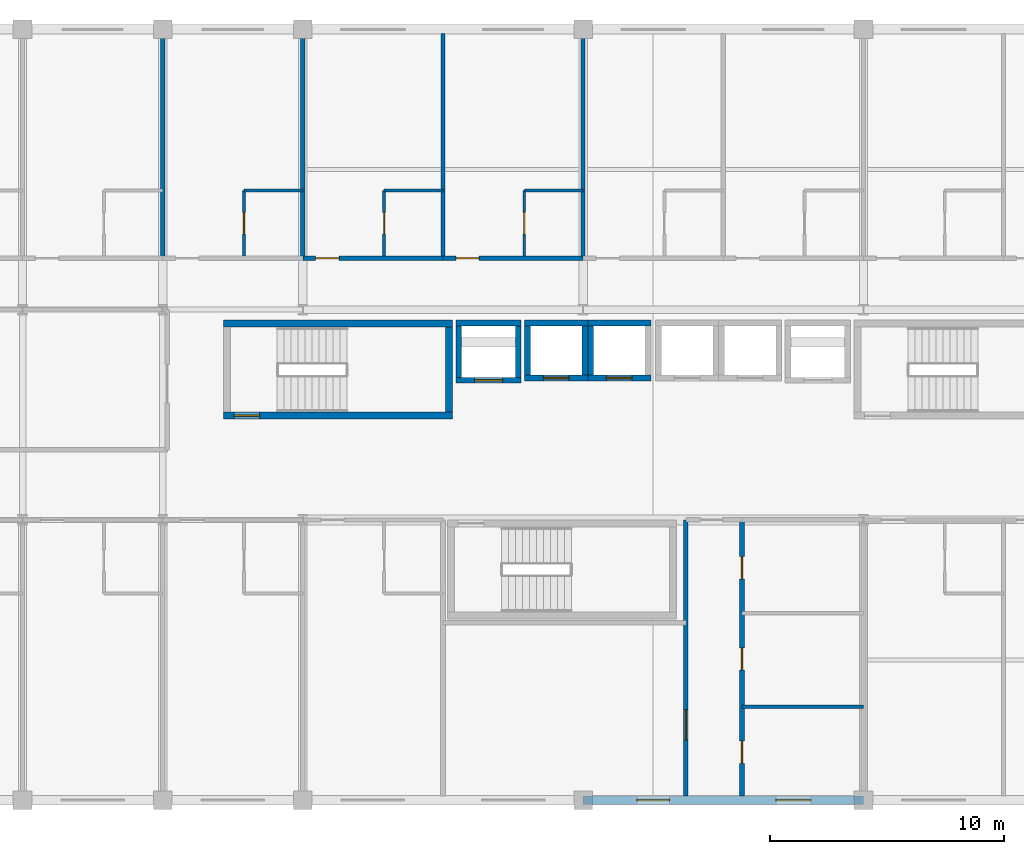
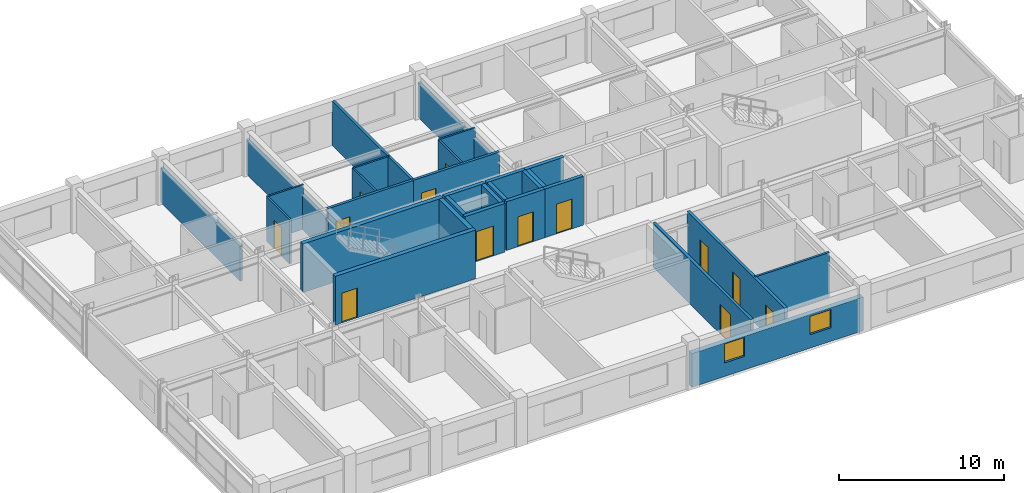
# One storey, part 22 of 26: 30 walls, 13 doors, 2 windows, 15 openings.
"""IFC4 building model written with IfcOpenShell, lengths in metres."""

from ifc_helpers import new_model, si_unit, direction, frame, frame_2d, origin, place, context, subcontext, project, spatial, rectangle, extrude, material, layer, layer_set, type_object, element, fill, save


model = new_model("IFC4")

# Units and contexts
model_context = context("Model", 3, precision=1e-05, world=origin(), true_north=direction((0.0, 1.0)))
body_context = subcontext(model_context, "Body", "Model", "MODEL_VIEW")
ifc_project = project(units=[si_unit("LENGTHUNIT", "METRE"), si_unit("AREAUNIT", "SQUARE_METRE"), si_unit("VOLUMEUNIT", "CUBIC_METRE"), si_unit("PLANEANGLEUNIT", "RADIAN"), si_unit("MASSUNIT", "GRAM", prefix="KILO")], contexts=[model_context])

# Site, building, storey
site_placement = place(None, origin())
site = spatial("IfcSite", under=ifc_project, at=site_placement, CompositionType="ELEMENT")
building_placement = place(site_placement, origin())
building = spatial("IfcBuilding", under=site, at=building_placement, Name="Kaldorvane Square Convention Centre", CompositionType="ELEMENT")
storey_placement = place(building_placement, frame((0.0, 0.0, 45.600006103515625)))
storey = spatial("IfcBuildingStorey", under=building, at=storey_placement, Name="L10", CompositionType="ELEMENT", Elevation=45.600006103515625)

# Wall, opening, door
ifc_material_1 = material(Name="Fire-Rated Gypsum Board on Acoustic Steel Studs", Category="steel")
ifc_layer_1 = layer(ifc_material_1, 0.125)
ifc_layer_set_1 = layer_set([ifc_layer_1], Name="Fire-Rated Gypsum Board on Acoustic Steel Studs")
wall_type_1 = type_object("IfcWallType", Name="WL-BATH-125", PredefinedType="PARTITIONING", material=ifc_layer_set_1)
wall_1_placement = place(storey_placement, frame((39.47999572753906, 107.28999328613281, 0.0), z_axis=(0.0, 0.0, 1.0), x_axis=(0.0, 1.0, 0.0)))
wall_1 = element("IfcWall", 1, at=wall_1_placement, inside=storey, type_object=wall_type_1, Name="En-Suite 1003 West Wall", PredefinedType="PARTITIONING", context=body_context, shape_type="SweptSolid", body=[
    extrude(rectangle(XDim=2.8100128173828125, YDim=0.125, at=frame_2d((1.404998779296875, 0.0))), origin(), (0.0, 0.0, 1.0), 3.2899932861328125),
])
opening_1_placement = place(wall_1_placement, frame((0.9499969482421875, 0.0, 0.0)))
opening_1 = element("IfcOpeningElement", 2, at=opening_1_placement, cuts=wall_1, Name="Opening ID-12", PredefinedType="OPENING", context=body_context, shape_type="SweptSolid", body=[
    extrude(rectangle(XDim=0.9199981689453125, YDim=2.100006103515625, at=frame_2d((0.459991455078125, 1.0500030517578125))), frame((0.0, 0.0774993896484375, 0.0), z_axis=(0.0, -1.0, 0.0), x_axis=(1.0, 0.0, 0.0)), (0.0, 0.0, 1.0), 0.154998779296875),
])
ifc_material_2 = material(Name="Architectural Solid-Core White Oak")
door_type_1 = type_object("IfcDoorType", Name="DR-BATH-0920X2100", OperationType="SINGLE_SWING_RIGHT", PredefinedType="DOOR", material=ifc_material_2)
door_1_placement = place(opening_1_placement, origin())
door_1 = element("IfcDoor", 3, at=door_1_placement, inside=storey, type_object=door_type_1, Name="En-Suite Bathroom 1003 Door", OperationType="SINGLE_SWING_RIGHT", OverallHeight=2.100006103515625, OverallWidth=0.9199981689453125, PredefinedType="DOOR", context=body_context, shape_type="SweptSolid", body=[
    extrude(rectangle(XDim=0.9199981689453125, YDim=2.100006103515625, at=frame_2d((0.459991455078125, 1.0500030517578125))), frame((0.0, 0.024993896484375, 0.0), z_axis=(0.0, -1.0, 0.0), x_axis=(1.0, 0.0, 0.0)), (0.0, 0.0, 1.0), 0.0500030517578125),
])
fill(opening_1, door_1)

# Wall
wall_2_placement = place(storey_placement, frame((39.47999572753906, 110.10000610351562, 0.0), z_axis=(0.0, 0.0, 1.0), x_axis=(1.0, 0.0, 0.0)))
element("IfcWall", 4, at=wall_2_placement, inside=storey, type_object=wall_type_1, Name="En-Suite 1003 North Wall", PredefinedType="PARTITIONING", context=body_context, shape_type="SweptSolid", body=[
    extrude(rectangle(XDim=2.5200042724609375, YDim=0.125, at=frame_2d((1.260009765625, 0.0))), origin(), (0.0, 0.0, 1.0), 3.2899932861328125),
])

# Wall, opening, door
wall_3_placement = place(storey_placement, frame((45.47999572753906, 107.28999328613281, 0.0), z_axis=(0.0, 0.0, 1.0), x_axis=(0.0, 1.0, 0.0)))
wall_3 = element("IfcWall", 5, at=wall_3_placement, inside=storey, type_object=wall_type_1, Name="En-Suite 1004 West Wall", PredefinedType="PARTITIONING", context=body_context, shape_type="SweptSolid", body=[
    extrude(rectangle(XDim=2.8100128173828125, YDim=0.125, at=frame_2d((1.404998779296875, 0.0))), origin(), (0.0, 0.0, 1.0), 3.2899932861328125),
])
opening_2_placement = place(wall_3_placement, frame((0.9499969482421875, 0.0, 0.0)))
opening_2 = element("IfcOpeningElement", 6, at=opening_2_placement, cuts=wall_3, Name="Opening ID-12", PredefinedType="OPENING", context=body_context, shape_type="SweptSolid", body=[
    extrude(rectangle(XDim=0.9199981689453125, YDim=2.100006103515625, at=frame_2d((0.459991455078125, 1.0500030517578125))), frame((0.0, 0.0774993896484375, 0.0), z_axis=(0.0, -1.0, 0.0), x_axis=(1.0, 0.0, 0.0)), (0.0, 0.0, 1.0), 0.154998779296875),
])
door_2_placement = place(opening_2_placement, origin())
door_2 = element("IfcDoor", 7, at=door_2_placement, inside=storey, type_object=door_type_1, Name="En-Suite Bathroom 1004 Door", OperationType="SINGLE_SWING_RIGHT", OverallHeight=2.100006103515625, OverallWidth=0.9199981689453125, PredefinedType="DOOR", context=body_context, shape_type="SweptSolid", body=[
    extrude(rectangle(XDim=0.9199981689453125, YDim=2.100006103515625, at=frame_2d((0.459991455078125, 1.0500030517578125))), frame((0.0, 0.024993896484375, 0.0), z_axis=(0.0, -1.0, 0.0), x_axis=(1.0, 0.0, 0.0)), (0.0, 0.0, 1.0), 0.0500030517578125),
])
fill(opening_2, door_2)

# Wall
wall_4_placement = place(storey_placement, frame((45.47999572753906, 110.10000610351562, 0.0), z_axis=(0.0, 0.0, 1.0), x_axis=(1.0, 0.0, 0.0)))
element("IfcWall", 8, at=wall_4_placement, inside=storey, type_object=wall_type_1, Name="En-Suite 1004 North Wall", PredefinedType="PARTITIONING", context=body_context, shape_type="SweptSolid", body=[
    extrude(rectangle(XDim=2.5200042724609375, YDim=0.125, at=frame_2d((1.260009765625, 0.0))), origin(), (0.0, 0.0, 1.0), 3.2899932861328125),
])

# Wall, opening, door
wall_5_placement = place(storey_placement, frame((51.47999572753906, 107.28999328613281, 0.0), z_axis=(0.0, 0.0, 1.0), x_axis=(0.0, 1.0, 0.0)))
wall_5 = element("IfcWall", 9, at=wall_5_placement, inside=storey, type_object=wall_type_1, Name="En-Suite 1005 West Wall", PredefinedType="PARTITIONING", context=body_context, shape_type="SweptSolid", body=[
    extrude(rectangle(XDim=2.8100128173828125, YDim=0.125, at=frame_2d((1.404998779296875, 0.0))), origin(), (0.0, 0.0, 1.0), 3.2899932861328125),
])
opening_3_placement = place(wall_5_placement, frame((0.9499969482421875, 0.0, 0.0)))
opening_3 = element("IfcOpeningElement", 10, at=opening_3_placement, cuts=wall_5, Name="Opening ID-12", PredefinedType="OPENING", context=body_context, shape_type="SweptSolid", body=[
    extrude(rectangle(XDim=0.9199981689453125, YDim=2.100006103515625, at=frame_2d((0.459991455078125, 1.0500030517578125))), frame((0.0, 0.0774993896484375, 0.0), z_axis=(0.0, -1.0, 0.0), x_axis=(1.0, 0.0, 0.0)), (0.0, 0.0, 1.0), 0.154998779296875),
])
door_3_placement = place(opening_3_placement, origin())
door_3 = element("IfcDoor", 11, at=door_3_placement, inside=storey, type_object=door_type_1, Name="En-Suite Bathroom 1005 Door", OperationType="SINGLE_SWING_RIGHT", OverallHeight=2.100006103515625, OverallWidth=0.9199981689453125, PredefinedType="DOOR", context=body_context, shape_type="SweptSolid", body=[
    extrude(rectangle(XDim=0.9199981689453125, YDim=2.100006103515625, at=frame_2d((0.459991455078125, 1.0500030517578125))), frame((0.0, 0.024993896484375, 0.0), z_axis=(0.0, -1.0, 0.0), x_axis=(1.0, 0.0, 0.0)), (0.0, 0.0, 1.0), 0.0500030517578125),
])
fill(opening_3, door_3)

# Wall
wall_6_placement = place(storey_placement, frame((51.47999572753906, 110.10000610351562, 0.0), z_axis=(0.0, 0.0, 1.0), x_axis=(1.0, 0.0, 0.0)))
element("IfcWall", 12, at=wall_6_placement, inside=storey, type_object=wall_type_1, Name="En-Suite 1005 North Wall", PredefinedType="PARTITIONING", context=body_context, shape_type="SweptSolid", body=[
    extrude(rectangle(XDim=2.5200042724609375, YDim=0.125, at=frame_2d((1.260009765625, 0.0))), origin(), (0.0, 0.0, 1.0), 3.2899932861328125),
])

# Wall, opening, door
ifc_layer_2 = layer(ifc_material_1, 0.1999969482421875)
ifc_layer_set_2 = layer_set([ifc_layer_2], Name="Fire-Rated Gypsum Board on Acoustic Steel Studs")
wall_type_2 = type_object("IfcWallType", Name="WL-CORR-200", PredefinedType="PARTITIONING", material=ifc_layer_set_2)
wall_7_placement = place(storey_placement, frame((58.399993896484375, 84.17500305175781, 0.0), z_axis=(0.0, 0.0, 1.0), x_axis=(0.0, 1.0, 0.0)))
wall_7 = element("IfcWall", 13, at=wall_7_placement, inside=storey, type_object=wall_type_2, Name="Restroom Vestibule West Wall (L10)", PredefinedType="PARTITIONING", context=body_context, shape_type="SweptSolid", body=[
    extrude(rectangle(XDim=11.824996948242188, YDim=0.1999969482421875, at=frame_2d((5.912506103515625, 0.0))), origin(), (0.0, 0.0, 1.0), 3.2899932861328125),
])
opening_4_placement = place(wall_7_placement, frame((2.399993896484375, 0.0, 0.0)))
opening_4 = element("IfcOpeningElement", 14, at=opening_4_placement, cuts=wall_7, Name="Opening ID-09", PredefinedType="OPENING", context=body_context, shape_type="SweptSolid", body=[
    extrude(rectangle(XDim=1.3000030517578125, YDim=2.1999969482421875, at=frame_2d((0.649993896484375, 1.100006103515625))), frame((0.0, 0.114990234375, 0.0), z_axis=(0.0, -1.0, 0.0), x_axis=(1.0, 0.0, 0.0)), (0.0, 0.0, 1.0), 0.2299957275390625),
])
ifc_material_3 = material(Name="Insulated Hollow Metal Steel", Category="steel")
door_type_2 = type_object("IfcDoorType", Name="DR-SVC-1300X2200", OperationType="DOUBLE_DOOR_SINGLE_SWING", PredefinedType="DOOR", material=ifc_material_3)
door_4_placement = place(opening_4_placement, origin())
door_4 = element("IfcDoor", 15, at=door_4_placement, inside=storey, type_object=door_type_2, Name="Housekeeping and Linen Room (L10) Door", OperationType="DOUBLE_DOOR_SINGLE_SWING", OverallHeight=2.1999969482421875, OverallWidth=1.3000030517578125, PredefinedType="DOOR", context=body_context, shape_type="SweptSolid", body=[
    extrude(rectangle(XDim=1.3000030517578125, YDim=2.1999969482421875, at=frame_2d((0.649993896484375, 1.100006103515625))), frame((0.0, 0.024993896484375, 0.0), z_axis=(0.0, -1.0, 0.0), x_axis=(1.0, 0.0, 0.0)), (0.0, 0.0, 1.0), 0.0500030517578125),
])
fill(opening_4, door_4)

# Wall, openings, doors
wall_8_placement = place(storey_placement, frame((60.80000305175781, 84.17500305175781, 0.0), z_axis=(0.0, 0.0, 1.0), x_axis=(0.0, 1.0, 0.0)))
wall_8 = element("IfcWall", 16, at=wall_8_placement, inside=storey, type_object=wall_type_2, Name="Restroom Vestibule East Wall (L10)", PredefinedType="PARTITIONING", context=body_context, shape_type="SweptSolid", body=[
    extrude(rectangle(XDim=11.824996948242188, YDim=0.1999969482421875, at=frame_2d((5.912506103515625, 0.0))), origin(), (0.0, 0.0, 1.0), 3.2899932861328125),
])
opening_5_placement = place(wall_8_placement, frame((1.399993896484375, 0.0, 0.0)))
opening_5 = element("IfcOpeningElement", 17, at=opening_5_placement, cuts=wall_8, Name="Opening ID-13", PredefinedType="OPENING", context=body_context, shape_type="SweptSolid", body=[
    extrude(rectangle(XDim=0.9499969482421875, YDim=2.149993896484375, at=frame_2d((0.475006103515625, 1.0749969482421875))), frame((0.0, 0.114990234375, 0.0), z_axis=(0.0, -1.0, 0.0), x_axis=(1.0, 0.0, 0.0)), (0.0, 0.0, 1.0), 0.2299957275390625),
])
opening_6_placement = place(wall_8_placement, frame((5.399993896484375, 0.0, 0.0)))
opening_6 = element("IfcOpeningElement", 18, at=opening_6_placement, cuts=wall_8, Name="Opening ID-13", PredefinedType="OPENING", context=body_context, shape_type="SweptSolid", body=[
    extrude(rectangle(XDim=0.9499969482421875, YDim=2.149993896484375, at=frame_2d((0.475006103515625, 1.0749969482421875))), frame((0.0, 0.114990234375, 0.0), z_axis=(0.0, -1.0, 0.0), x_axis=(1.0, 0.0, 0.0)), (0.0, 0.0, 1.0), 0.2299957275390625),
])
opening_7_placement = place(wall_8_placement, frame((9.300003051757812, 0.0, 0.0)))
opening_7 = element("IfcOpeningElement", 19, at=opening_7_placement, cuts=wall_8, Name="Opening ID-13", PredefinedType="OPENING", context=body_context, shape_type="SweptSolid", body=[
    extrude(rectangle(XDim=0.9499969482421875, YDim=2.149993896484375, at=frame_2d((0.475006103515625, 1.0749969482421875))), frame((0.0, 0.114990234375, 0.0), z_axis=(0.0, -1.0, 0.0), x_axis=(1.0, 0.0, 0.0)), (0.0, 0.0, 1.0), 0.2299957275390625),
])
door_type_3 = type_object("IfcDoorType", Name="DR-WC-0950X2150", OperationType="SINGLE_SWING_LEFT", PredefinedType="DOOR", material=ifc_material_2)
door_5_placement = place(opening_5_placement, origin())
door_5 = element("IfcDoor", 20, at=door_5_placement, inside=storey, type_object=door_type_3, Name="Accessible Restroom Door (L10)", OperationType="SINGLE_SWING_LEFT", OverallHeight=2.149993896484375, OverallWidth=0.9499969482421875, PredefinedType="DOOR", context=body_context, shape_type="SweptSolid", body=[
    extrude(rectangle(XDim=0.9499969482421875, YDim=2.149993896484375, at=frame_2d((0.475006103515625, 1.0749969482421875))), frame((0.0, 0.024993896484375, 0.0), z_axis=(0.0, -1.0, 0.0), x_axis=(1.0, 0.0, 0.0)), (0.0, 0.0, 1.0), 0.0500030517578125),
])
fill(opening_5, door_5)
door_6_placement = place(opening_6_placement, origin())
door_6 = element("IfcDoor", 21, at=door_6_placement, inside=storey, type_object=door_type_3, Name="Men's Restroom Door (L10)", OperationType="SINGLE_SWING_LEFT", OverallHeight=2.149993896484375, OverallWidth=0.9499969482421875, PredefinedType="DOOR", context=body_context, shape_type="SweptSolid", body=[
    extrude(rectangle(XDim=0.9499969482421875, YDim=2.149993896484375, at=frame_2d((0.475006103515625, 1.0749969482421875))), frame((0.0, 0.024993896484375, 0.0), z_axis=(0.0, -1.0, 0.0), x_axis=(1.0, 0.0, 0.0)), (0.0, 0.0, 1.0), 0.0500030517578125),
])
fill(opening_6, door_6)
door_7_placement = place(opening_7_placement, origin())
door_7 = element("IfcDoor", 22, at=door_7_placement, inside=storey, type_object=door_type_3, Name="Women's Restroom Door (L10)", OperationType="SINGLE_SWING_LEFT", OverallHeight=2.149993896484375, OverallWidth=0.9499969482421875, PredefinedType="DOOR", context=body_context, shape_type="SweptSolid", body=[
    extrude(rectangle(XDim=0.9499969482421875, YDim=2.149993896484375, at=frame_2d((0.475006103515625, 1.0749969482421875))), frame((0.0, 0.024993896484375, 0.0), z_axis=(0.0, -1.0, 0.0), x_axis=(1.0, 0.0, 0.0)), (0.0, 0.0, 1.0), 0.0500030517578125),
])
fill(opening_7, door_7)

# Wall, openings, windows
ifc_material_4 = material(Name="Concrete f'c = 42 MPa (Normalweight)", Category="concrete")
ifc_layer_3 = layer(ifc_material_4, 0.350006103515625)
ifc_layer_set_3 = layer_set([ifc_layer_3], Name="Concrete f'c = 42 MPa (Normalweight)")
wall_type_3 = type_object("IfcWallType", Name="WL-EXT-350", PredefinedType="STANDARD", material=ifc_layer_set_3)
wall_9_placement = place(storey_placement, frame((54.0, 84.0, 0.0), z_axis=(0.0, 0.0, 1.0), x_axis=(1.0, 0.0, 0.0)))
wall_9 = element("IfcWall", 23, at=wall_9_placement, inside=storey, type_object=wall_type_3, Name="Hotel S Brutalist Facade Wall (L10)", PredefinedType="STANDARD", context=body_context, shape_type="SweptSolid", body=[
    extrude(rectangle(XDim=12.0, YDim=0.350006103515625, at=frame_2d((6.0, 0.0))), origin(), (0.0, 0.0, 1.0), 2.485992431640625),
])
opening_8_placement = place(wall_9_placement, frame((2.3000030517578125, 0.0, 1.0)))
opening_8 = element("IfcOpeningElement", 24, at=opening_8_placement, cuts=wall_9, Name="Opening W-13", PredefinedType="OPENING", context=body_context, shape_type="SweptSolid", body=[
    extrude(rectangle(XDim=1.399993896484375, YDim=1.399993896484375, at=frame_2d((0.6999969482421875, 0.6999969482421875))), frame((0.0, 0.19000244140625, 0.0), z_axis=(0.0, -1.0, 0.0), x_axis=(1.0, 0.0, 0.0)), (0.0, 0.0, 1.0), 0.3800048828125),
])
opening_9_placement = place(wall_9_placement, frame((8.25, 0.0, 1.0)))
opening_9 = element("IfcOpeningElement", 25, at=opening_9_placement, cuts=wall_9, Name="Opening W-14", PredefinedType="OPENING", context=body_context, shape_type="SweptSolid", body=[
    extrude(rectangle(XDim=1.5, YDim=1.350006103515625, at=frame_2d((0.75, 0.6750030517578125))), frame((0.0, 0.19000244140625, 0.0), z_axis=(0.0, -1.0, 0.0), x_axis=(1.0, 0.0, 0.0)), (0.0, 0.0, 1.0), 0.3800048828125),
])
ifc_material_5 = material(Name="Anodized Aluminum and Low-E Insulated Glazing", Category="aluminium")
window_type_1 = type_object("IfcWindowType", Name="WN-HTL-1400X1400", PartitioningType="SINGLE_PANEL", PredefinedType="WINDOW", material=ifc_material_5)
window_1_placement = place(opening_8_placement, origin())
window_1 = element("IfcWindow", 26, at=window_1_placement, inside=storey, type_object=window_type_1, Name="Hotel S Window (L10)", OverallHeight=1.399993896484375, OverallWidth=1.399993896484375, PartitioningType="SINGLE_PANEL", PredefinedType="WINDOW", context=body_context, shape_type="SweptSolid", body=[
    extrude(rectangle(XDim=1.399993896484375, YDim=1.399993896484375, at=frame_2d((0.6999969482421875, 0.6999969482421875))), frame((0.0, 0.029998779296875, 0.0), z_axis=(0.0, -1.0, 0.0), x_axis=(1.0, 0.0, 0.0)), (0.0, 0.0, 1.0), 0.05999755859375),
])
fill(opening_8, window_1)
window_type_2 = type_object("IfcWindowType", Name="WN-HTL-1500X1350", PartitioningType="SINGLE_PANEL", PredefinedType="WINDOW", material=ifc_material_5)
window_2_placement = place(opening_9_placement, origin())
window_2 = element("IfcWindow", 27, at=window_2_placement, inside=storey, type_object=window_type_2, Name="Hotel S Window (L10)", OverallHeight=1.350006103515625, OverallWidth=1.5, PartitioningType="SINGLE_PANEL", PredefinedType="WINDOW", context=body_context, shape_type="SweptSolid", body=[
    extrude(rectangle(XDim=1.5, YDim=1.350006103515625, at=frame_2d((0.75, 0.6750030517578125))), frame((0.0, 0.029998779296875, 0.0), z_axis=(0.0, -1.0, 0.0), x_axis=(1.0, 0.0, 0.0)), (0.0, 0.0, 1.0), 0.05999755859375),
])
fill(opening_9, window_2)

# Wall
ifc_layer_4 = layer(ifc_material_1, 0.149993896484375)
ifc_layer_set_4 = layer_set([ifc_layer_4], Name="Fire-Rated Gypsum Board on Acoustic Steel Studs")
wall_type_4 = type_object("IfcWallType", Name="WL-PART-150", PredefinedType="PARTITIONING", material=ifc_layer_set_4)
wall_10_placement = place(storey_placement, frame((60.80000305175781, 88.0, 0.0), z_axis=(0.0, 0.0, 1.0), x_axis=(1.0, 0.0, 0.0)))
element("IfcWall", 28, at=wall_10_placement, inside=storey, type_object=wall_type_4, Name="Restroom Partition 1 (L10)", PredefinedType="PARTITIONING", context=body_context, shape_type="SweptSolid", body=[
    extrude(rectangle(XDim=5.1999969482421875, YDim=0.149993896484375, at=frame_2d((2.600006103515625, 0.0))), origin(), (0.0, 0.0, 1.0), 3.2899932861328125),
])

# Wall, opening, door
ifc_material_6 = material(Name="Concrete f'c = 55 MPa (Normalweight)", Category="concrete")
ifc_layer_5 = layer(ifc_material_6, 0.3000030517578125)
ifc_layer_set_5 = layer_set([ifc_layer_5], Name="Concrete f'c = 55 MPa (Normalweight)")
wall_type_5 = type_object("IfcWallType", Name="WL-SHAFT-300", PredefinedType="SHEAR", material=ifc_layer_set_5)
wall_11_placement = place(storey_placement, frame((38.600006103515625, 100.46000671386719, 0.0), z_axis=(0.0, 0.0, 1.0), x_axis=(1.0, 0.0, 0.0)))
wall_11 = element("IfcWall", 29, at=wall_11_placement, inside=storey, type_object=wall_type_5, Name="Core Enclosure Wall stair:ST-T1-S (L10)", PredefinedType="SHEAR", context=body_context, shape_type="SweptSolid", body=[
    extrude(rectangle(XDim=9.79998779296875, YDim=0.3000030517578125, at=frame_2d((4.899993896484375, 0.0))), origin(), (0.0, 0.0, 1.0), 3.5999908447265625),
])
opening_10_placement = place(wall_11_placement, frame((0.4499969482421875, 0.0, 0.0)))
opening_10 = element("IfcOpeningElement", 30, at=opening_10_placement, cuts=wall_11, Name="Opening FD90-S1", PredefinedType="OPENING", context=body_context, shape_type="SweptSolid", body=[
    extrude(rectangle(XDim=1.100006103515625, YDim=2.1999969482421875, at=frame_2d((0.5500030517578125, 1.100006103515625))), frame((0.0, 0.165008544921875, 0.0), z_axis=(0.0, -1.0, 0.0), x_axis=(1.0, 0.0, 0.0)), (0.0, 0.0, 1.0), 0.3300018310546875),
])
ifc_material_7 = material(Name="Fire-Rated Hollow Metal Steel", Category="steel")
door_type_4 = type_object("IfcDoorType", Name="DR-STAIR-1100", OperationType="SINGLE_SWING_RIGHT", PredefinedType="DOOR", material=ifc_material_7)
door_8_placement = place(opening_10_placement, origin())
door_8 = element("IfcDoor", 31, at=door_8_placement, inside=storey, type_object=door_type_4, Name="Tower Exit Stair T1 Fire Door (L10)", OperationType="SINGLE_SWING_RIGHT", OverallHeight=2.1999969482421875, OverallWidth=1.100006103515625, PredefinedType="DOOR", context=body_context, shape_type="SweptSolid", body=[
    extrude(rectangle(XDim=1.100006103515625, YDim=2.1999969482421875, at=frame_2d((0.5500030517578125, 1.100006103515625))), frame((0.0, 0.024993896484375, 0.0), z_axis=(0.0, -1.0, 0.0), x_axis=(1.0, 0.0, 0.0)), (0.0, 0.0, 1.0), 0.0500030517578125),
])
fill(opening_10, door_8)

# Walls
wall_12_placement = place(storey_placement, frame((48.399993896484375, 104.39999389648438, 0.0), z_axis=(0.0, 0.0, 1.0), x_axis=(-1.0, 0.0, 0.0)))
element("IfcWall", 32, at=wall_12_placement, inside=storey, type_object=wall_type_5, Name="Core Enclosure Wall stair:ST-T1-N (L10)", PredefinedType="SHEAR", context=body_context, shape_type="SweptSolid", body=[
    extrude(rectangle(XDim=9.79998779296875, YDim=0.3000030517578125, at=frame_2d((4.899993896484375, 0.0))), origin(), (0.0, 0.0, 1.0), 3.5999908447265625),
])
wall_13_placement = place(storey_placement, frame((48.25, 100.61000061035156, 0.0), z_axis=(0.0, 0.0, 1.0), x_axis=(0.0, 1.0, 0.0)))
element("IfcWall", 33, at=wall_13_placement, inside=storey, type_object=wall_type_5, Name="Core Enclosure Wall stair:ST-T1-E (L10)", PredefinedType="SHEAR", context=body_context, shape_type="SweptSolid", body=[
    extrude(rectangle(XDim=3.6399993896484375, YDim=0.3000030517578125, at=frame_2d((1.82000732421875, 0.0))), origin(), (0.0, 0.0, 1.0), 3.5999908447265625),
])

# Wall, opening, door
wall_14_placement = place(storey_placement, frame((48.55000305175781, 101.97500610351562, 0.0), z_axis=(0.0, 0.0, 1.0), x_axis=(1.0, 0.0, 0.0)))
wall_14 = element("IfcWall", 34, at=wall_14_placement, inside=storey, type_object=wall_type_5, Name="Core Enclosure Wall lift:FSAE-01-S (L10)", PredefinedType="SHEAR", context=body_context, shape_type="SweptSolid", body=[
    extrude(rectangle(XDim=2.8000030517578125, YDim=0.25, at=frame_2d((1.399993896484375, 0.0))), origin(), (0.0, 0.0, 1.0), 3.5999908447265625),
])
opening_11_placement = place(wall_14_placement, frame((0.8000030517578125, 0.0, 0.0)))
opening_11 = element("IfcOpeningElement", 35, at=opening_11_placement, cuts=wall_14, Name="Opening LD-02", PredefinedType="OPENING", context=body_context, shape_type="SweptSolid", body=[
    extrude(rectangle(XDim=1.1999969482421875, YDim=2.1999969482421875, at=frame_2d((0.600006103515625, 1.100006103515625))), frame((0.0, 0.1399993896484375, 0.0), z_axis=(0.0, -1.0, 0.0), x_axis=(1.0, 0.0, 0.0)), (0.0, 0.0, 1.0), 0.279998779296875),
])
ifc_material_8 = material(Name="Stainless Steel Elevator Door Assembly", Category="steel")
door_type_5 = type_object("IfcDoorType", Name="DR-LIFT-1200", OperationType="DOUBLE_DOOR_SLIDING", PredefinedType="DOOR", material=ifc_material_8)
door_9_placement = place(opening_11_placement, origin())
door_9 = element("IfcDoor", 36, at=door_9_placement, inside=storey, type_object=door_type_5, Name="Elevator Landing Door FSAE-01 (L10)", OperationType="DOUBLE_DOOR_SLIDING", OverallHeight=2.1999969482421875, OverallWidth=1.1999969482421875, PredefinedType="DOOR", context=body_context, shape_type="SweptSolid", body=[
    extrude(rectangle(XDim=1.1999969482421875, YDim=2.1999969482421875, at=frame_2d((0.600006103515625, 1.100006103515625))), frame((0.0, 0.024993896484375, 0.0), z_axis=(0.0, -1.0, 0.0), x_axis=(1.0, 0.0, 0.0)), (0.0, 0.0, 1.0), 0.0500030517578125),
])
fill(opening_11, door_9)

# Walls
wall_15_placement = place(storey_placement, frame((51.350006103515625, 104.42500305175781, 0.0), z_axis=(0.0, 0.0, 1.0), x_axis=(-1.0, 0.0, 0.0)))
element("IfcWall", 37, at=wall_15_placement, inside=storey, type_object=wall_type_5, Name="Core Enclosure Wall lift:FSAE-01-N (L10)", PredefinedType="SHEAR", context=body_context, shape_type="SweptSolid", body=[
    extrude(rectangle(XDim=2.8000030517578125, YDim=0.25, at=frame_2d((1.399993896484375, 0.0))), origin(), (0.0, 0.0, 1.0), 3.5999908447265625),
])
for number, where, z_axis, x_axis, name in (
    (38, (48.67500305175781, 104.30000305175781, 0.0), (0.0, 0.0, 1.0), (0.0, -1.0, 0.0), "Core Enclosure Wall lift:FSAE-01-W (L10)"),
    (39, (51.225006103515625, 102.10000610351562, 0.0), (0.0, 0.0, 1.0), (0.0, 1.0, 0.0), "Core Enclosure Wall lift:FSAE-01-E (L10)"),
):
    element("IfcWall", number, at=place(storey_placement, frame(where, z_axis=z_axis, x_axis=x_axis)), inside=storey, type_object=wall_type_5, Name=name, PredefinedType="SHEAR", context=body_context, shape_type="SweptSolid", body=[
        extrude(rectangle(XDim=2.1999969482421875, YDim=0.25, at=frame_2d((1.100006103515625, 0.0))), origin(), (0.0, 0.0, 1.0), 3.5999908447265625),
    ])

# Wall, opening, door
wall_16_placement = place(storey_placement, frame((51.5, 102.07499694824219, 0.0), z_axis=(0.0, 0.0, 1.0), x_axis=(1.0, 0.0, 0.0)))
wall_16 = element("IfcWall", 40, at=wall_16_placement, inside=storey, type_object=wall_type_5, Name="Core Enclosure Wall lift:EL-P1-S (L10)", PredefinedType="SHEAR", context=body_context, shape_type="SweptSolid", body=[
    extrude(rectangle(XDim=2.6999969482421875, YDim=0.25, at=frame_2d((1.350006103515625, 0.0))), origin(), (0.0, 0.0, 1.0), 3.5999908447265625),
])
opening_12_placement = place(wall_16_placement, frame((0.8000030517578125, 0.0, 0.0)))
opening_12 = element("IfcOpeningElement", 41, at=opening_12_placement, cuts=wall_16, Name="Opening LD-01", PredefinedType="OPENING", context=body_context, shape_type="SweptSolid", body=[
    extrude(rectangle(XDim=1.100006103515625, YDim=2.1999969482421875, at=frame_2d((0.5500030517578125, 1.100006103515625))), frame((0.0, 0.1399993896484375, 0.0), z_axis=(0.0, -1.0, 0.0), x_axis=(1.0, 0.0, 0.0)), (0.0, 0.0, 1.0), 0.279998779296875),
])
door_type_6 = type_object("IfcDoorType", Name="DR-LIFT-1100", OperationType="DOUBLE_DOOR_SLIDING", PredefinedType="DOOR", material=ifc_material_8)
door_10_placement = place(opening_12_placement, origin())
door_10 = element("IfcDoor", 42, at=door_10_placement, inside=storey, type_object=door_type_6, Name="Elevator Landing Door EL-P1 (L10)", OperationType="DOUBLE_DOOR_SLIDING", OverallHeight=2.1999969482421875, OverallWidth=1.100006103515625, PredefinedType="DOOR", context=body_context, shape_type="SweptSolid", body=[
    extrude(rectangle(XDim=1.100006103515625, YDim=2.1999969482421875, at=frame_2d((0.5500030517578125, 1.100006103515625))), frame((0.0, 0.024993896484375, 0.0), z_axis=(0.0, -1.0, 0.0), x_axis=(1.0, 0.0, 0.0)), (0.0, 0.0, 1.0), 0.0500030517578125),
])
fill(opening_12, door_10)

# Walls
wall_17_placement = place(storey_placement, frame((54.19999694824219, 104.42500305175781, 0.0), z_axis=(0.0, 0.0, 1.0), x_axis=(-1.0, 0.0, 0.0)))
element("IfcWall", 43, at=wall_17_placement, inside=storey, type_object=wall_type_5, Name="Core Enclosure Wall lift:EL-P1-N (L10)", PredefinedType="SHEAR", context=body_context, shape_type="SweptSolid", body=[
    extrude(rectangle(XDim=2.6999969482421875, YDim=0.25, at=frame_2d((1.350006103515625, 0.0))), origin(), (0.0, 0.0, 1.0), 3.5999908447265625),
])
for number, where, z_axis, x_axis, name in (
    (44, (51.625, 104.30000305175781, 0.0), (0.0, 0.0, 1.0), (0.0, -1.0, 0.0), "Core Enclosure Wall lift:EL-P1-W (L10)"),
    (45, (54.07499694824219, 102.19999694824219, 0.0), (0.0, 0.0, 1.0), (0.0, 1.0, 0.0), "Core Enclosure Wall lift:EL-P1-E (L10)"),
):
    element("IfcWall", number, at=place(storey_placement, frame(where, z_axis=z_axis, x_axis=x_axis)), inside=storey, type_object=wall_type_5, Name=name, PredefinedType="SHEAR", context=body_context, shape_type="SweptSolid", body=[
        extrude(rectangle(XDim=2.100006103515625, YDim=0.25, at=frame_2d((1.0500030517578125, 0.0))), origin(), (0.0, 0.0, 1.0), 3.5999908447265625),
    ])

# Wall, opening, door
wall_18_placement = place(storey_placement, frame((54.19999694824219, 102.07499694824219, 0.0), z_axis=(0.0, 0.0, 1.0), x_axis=(1.0, 0.0, 0.0)))
wall_18 = element("IfcWall", 46, at=wall_18_placement, inside=storey, type_object=wall_type_5, Name="Core Enclosure Wall lift:EL-P2-S (L10)", PredefinedType="SHEAR", context=body_context, shape_type="SweptSolid", body=[
    extrude(rectangle(XDim=2.6999969482421875, YDim=0.25, at=frame_2d((1.350006103515625, 0.0))), origin(), (0.0, 0.0, 1.0), 3.5999908447265625),
])
opening_13_placement = place(wall_18_placement, frame((0.8000030517578125, 0.0, 0.0)))
opening_13 = element("IfcOpeningElement", 47, at=opening_13_placement, cuts=wall_18, Name="Opening LD-01", PredefinedType="OPENING", context=body_context, shape_type="SweptSolid", body=[
    extrude(rectangle(XDim=1.100006103515625, YDim=2.1999969482421875, at=frame_2d((0.5500030517578125, 1.100006103515625))), frame((0.0, 0.1399993896484375, 0.0), z_axis=(0.0, -1.0, 0.0), x_axis=(1.0, 0.0, 0.0)), (0.0, 0.0, 1.0), 0.279998779296875),
])
door_11_placement = place(opening_13_placement, origin())
door_11 = element("IfcDoor", 48, at=door_11_placement, inside=storey, type_object=door_type_6, Name="Elevator Landing Door EL-P2 (L10)", OperationType="DOUBLE_DOOR_SLIDING", OverallHeight=2.1999969482421875, OverallWidth=1.100006103515625, PredefinedType="DOOR", context=body_context, shape_type="SweptSolid", body=[
    extrude(rectangle(XDim=1.100006103515625, YDim=2.1999969482421875, at=frame_2d((0.5500030517578125, 1.100006103515625))), frame((0.0, 0.024993896484375, 0.0), z_axis=(0.0, -1.0, 0.0), x_axis=(1.0, 0.0, 0.0)), (0.0, 0.0, 1.0), 0.0500030517578125),
])
fill(opening_13, door_11)

# Walls
wall_19_placement = place(storey_placement, frame((56.899993896484375, 104.42500305175781, 0.0), z_axis=(0.0, 0.0, 1.0), x_axis=(-1.0, 0.0, 0.0)))
element("IfcWall", 49, at=wall_19_placement, inside=storey, type_object=wall_type_5, Name="Core Enclosure Wall lift:EL-P2-N (L10)", PredefinedType="SHEAR", context=body_context, shape_type="SweptSolid", body=[
    extrude(rectangle(XDim=2.6999969482421875, YDim=0.25, at=frame_2d((1.350006103515625, 0.0))), origin(), (0.0, 0.0, 1.0), 3.5999908447265625),
])
wall_20_placement = place(storey_placement, frame((54.32499694824219, 104.30000305175781, 0.0), z_axis=(0.0, 0.0, 1.0), x_axis=(0.0, -1.0, 0.0)))
element("IfcWall", 50, at=wall_20_placement, inside=storey, type_object=wall_type_5, Name="Core Enclosure Wall lift:EL-P2-W (L10)", PredefinedType="SHEAR", context=body_context, shape_type="SweptSolid", body=[
    extrude(rectangle(XDim=2.100006103515625, YDim=0.25, at=frame_2d((1.0500030517578125, 0.0))), origin(), (0.0, 0.0, 1.0), 3.5999908447265625),
])
ifc_layer_6 = layer(ifc_material_1, 0.17999267578125)
ifc_layer_set_6 = layer_set([ifc_layer_6], Name="Fire-Rated Gypsum Board on Acoustic Steel Studs")
wall_type_6 = type_object("IfcWallType", Name="WL-UNIT-180", PredefinedType="PARTITIONING", material=ifc_layer_set_6)
for number, where, z_axis, x_axis, name in (
    (51, (36.0, 107.19999694824219, 0.0), (0.0, 0.0, 1.0), (0.0, 1.0, 0.0), "Guestroom Demising Wall 1002"),
    (52, (42.0, 107.19999694824219, 0.0), (0.0, 0.0, 1.0), (0.0, 1.0, 0.0), "Guestroom Demising Wall 1003"),
):
    element("IfcWall", number, at=place(storey_placement, frame(where, z_axis=z_axis, x_axis=x_axis)), inside=storey, type_object=wall_type_6, Name=name, PredefinedType="PARTITIONING", context=body_context, shape_type="SweptSolid", body=[
        extrude(rectangle(XDim=9.625, YDim=0.17999267578125, at=frame_2d((4.8125, 0.0))), origin(), (0.0, 0.0, 1.0), 2.589996337890625),
    ])

# Wall, opening, door
wall_21_placement = place(storey_placement, frame((42.0, 107.19999694824219, 0.0), z_axis=(0.0, 0.0, 1.0), x_axis=(1.0, 0.0, 0.0)))
wall_21 = element("IfcWall", 53, at=wall_21_placement, inside=storey, type_object=wall_type_6, Name="Hotel Guest Room 1004 Corridor Wall", PredefinedType="PARTITIONING", context=body_context, shape_type="SweptSolid", body=[
    extrude(rectangle(XDim=6.0, YDim=0.17999267578125, at=frame_2d((3.0, 0.0))), origin(), (0.0, 0.0, 1.0), 3.2899932861328125),
])
opening_14_placement = place(wall_21_placement, frame((0.5500030517578125, 0.0, 0.0)))
opening_14 = element("IfcOpeningElement", 54, at=opening_14_placement, cuts=wall_21, Name="Opening ID-10", PredefinedType="OPENING", context=body_context, shape_type="SweptSolid", body=[
    extrude(rectangle(XDim=1.0, YDim=2.149993896484375, at=frame_2d((0.5, 1.0749969482421875))), frame((0.0, 0.1049957275390625, 0.0), z_axis=(0.0, -1.0, 0.0), x_axis=(1.0, 0.0, 0.0)), (0.0, 0.0, 1.0), 0.209991455078125),
])
door_type_7 = type_object("IfcDoorType", Name="DR-GUEST-1000X2150", OperationType="SINGLE_SWING_LEFT", PredefinedType="DOOR", material=ifc_material_2)
door_12_placement = place(opening_14_placement, origin())
door_12 = element("IfcDoor", 55, at=door_12_placement, inside=storey, type_object=door_type_7, Name="Hotel Guest Room 1004 Entry Door", OperationType="SINGLE_SWING_LEFT", OverallHeight=2.149993896484375, OverallWidth=1.0, PredefinedType="DOOR", context=body_context, shape_type="SweptSolid", body=[
    extrude(rectangle(XDim=1.0, YDim=2.149993896484375, at=frame_2d((0.5, 1.0749969482421875))), frame((0.0, 0.024993896484375, 0.0), z_axis=(0.0, -1.0, 0.0), x_axis=(1.0, 0.0, 0.0)), (0.0, 0.0, 1.0), 0.0500030517578125),
])
fill(opening_14, door_12)

# Wall
wall_22_placement = place(storey_placement, frame((48.0, 107.19999694824219, 0.0), z_axis=(0.0, 0.0, 1.0), x_axis=(0.0, 1.0, 0.0)))
element("IfcWall", 56, at=wall_22_placement, inside=storey, type_object=wall_type_6, Name="Guestroom Demising Wall 1004", PredefinedType="PARTITIONING", context=body_context, shape_type="SweptSolid", body=[
    extrude(rectangle(XDim=9.625, YDim=0.17999267578125, at=frame_2d((4.8125, 0.0))), origin(), (0.0, 0.0, 1.0), 3.2899932861328125),
])

# Wall, opening, door
wall_23_placement = place(storey_placement, frame((48.0, 107.19999694824219, 0.0), z_axis=(0.0, 0.0, 1.0), x_axis=(1.0, 0.0, 0.0)))
wall_23 = element("IfcWall", 57, at=wall_23_placement, inside=storey, type_object=wall_type_6, Name="Hotel Guest Room 1005 Corridor Wall", PredefinedType="PARTITIONING", context=body_context, shape_type="SweptSolid", body=[
    extrude(rectangle(XDim=6.0, YDim=0.17999267578125, at=frame_2d((3.0, 0.0))), origin(), (0.0, 0.0, 1.0), 3.2899932861328125),
])
opening_15_placement = place(wall_23_placement, frame((0.5500030517578125, 0.0, 0.0)))
opening_15 = element("IfcOpeningElement", 58, at=opening_15_placement, cuts=wall_23, Name="Opening ID-10", PredefinedType="OPENING", context=body_context, shape_type="SweptSolid", body=[
    extrude(rectangle(XDim=1.0, YDim=2.149993896484375, at=frame_2d((0.5, 1.0749969482421875))), frame((0.0, 0.1049957275390625, 0.0), z_axis=(0.0, -1.0, 0.0), x_axis=(1.0, 0.0, 0.0)), (0.0, 0.0, 1.0), 0.209991455078125),
])
door_13_placement = place(opening_15_placement, origin())
door_13 = element("IfcDoor", 59, at=door_13_placement, inside=storey, type_object=door_type_7, Name="Hotel Guest Room 1005 Entry Door", OperationType="SINGLE_SWING_LEFT", OverallHeight=2.149993896484375, OverallWidth=1.0, PredefinedType="DOOR", context=body_context, shape_type="SweptSolid", body=[
    extrude(rectangle(XDim=1.0, YDim=2.149993896484375, at=frame_2d((0.5, 1.0749969482421875))), frame((0.0, 0.024993896484375, 0.0), z_axis=(0.0, -1.0, 0.0), x_axis=(1.0, 0.0, 0.0)), (0.0, 0.0, 1.0), 0.0500030517578125),
])
fill(opening_15, door_13)

# Wall
wall_24_placement = place(storey_placement, frame((54.0, 107.19999694824219, 0.0), z_axis=(0.0, 0.0, 1.0), x_axis=(0.0, 1.0, 0.0)))
element("IfcWall", 60, at=wall_24_placement, inside=storey, type_object=wall_type_6, Name="Guestroom Demising Wall 1005", PredefinedType="PARTITIONING", context=body_context, shape_type="SweptSolid", body=[
    extrude(rectangle(XDim=9.625, YDim=0.17999267578125, at=frame_2d((4.8125, 0.0))), origin(), (0.0, 0.0, 1.0), 2.589996337890625),
])

save(model, "model.ifc")
